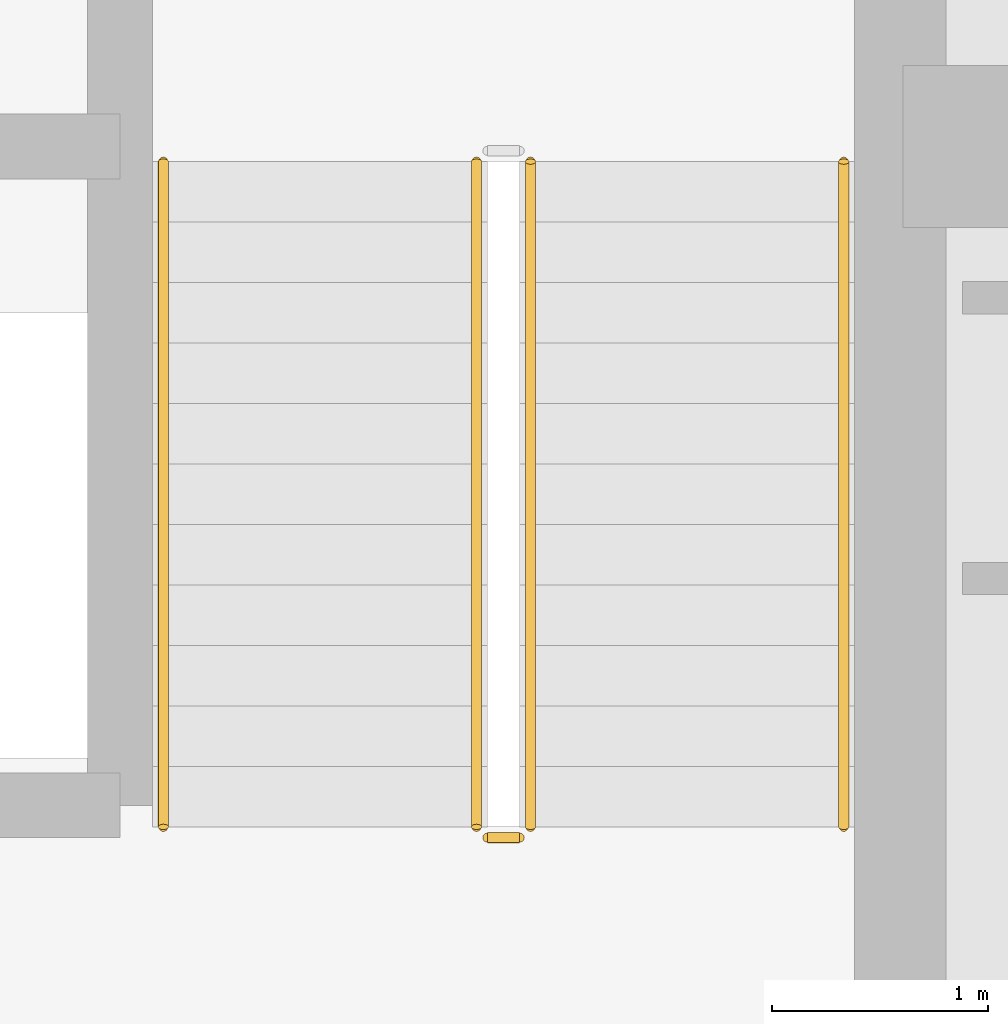
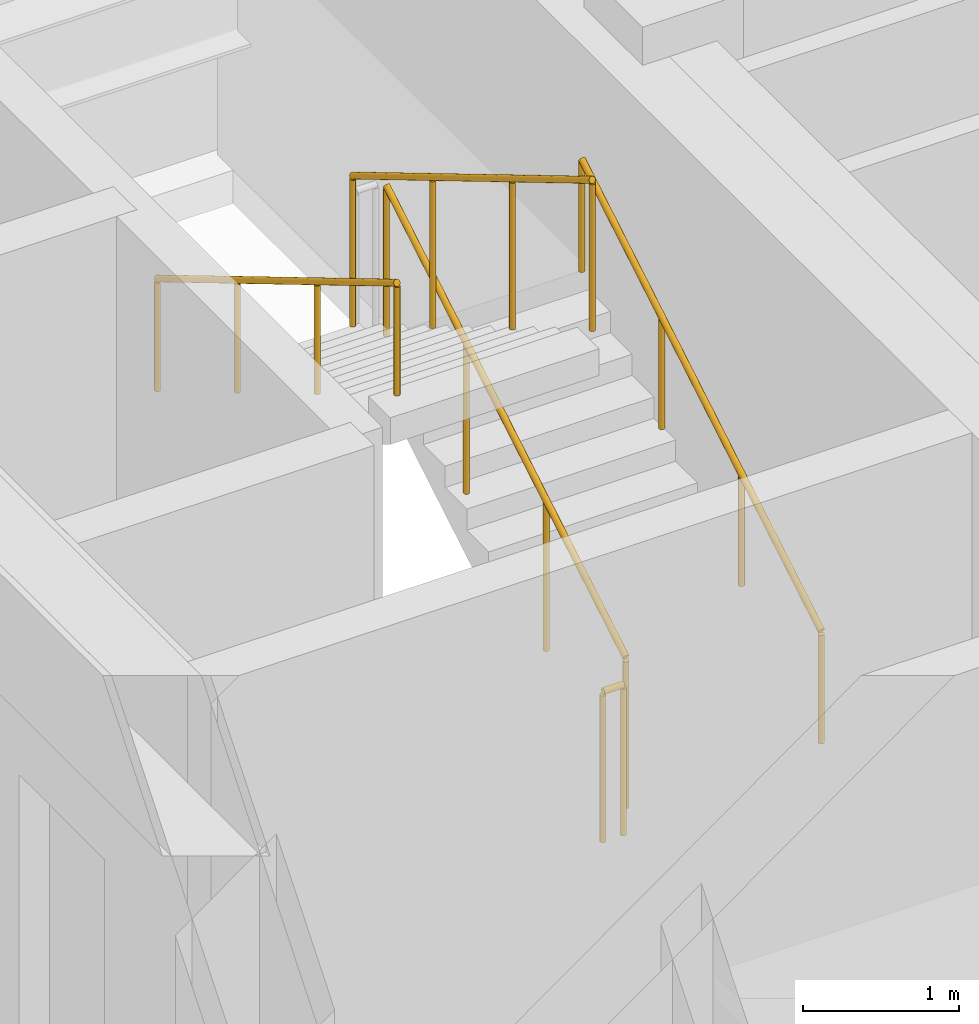
# One storey, part 29 of 32: 5 railings.
"""IFC4 building model written with IfcOpenShell, lengths in metres."""

from ifc_helpers import new_model, si_unit, direction, frame, origin, origin_2d, place, context, subcontext, project, spatial, circle, extrude, source, transform, mapped, material, type_object, element, save


model = new_model("IFC4")

# Units and contexts
model_context = context("Model", 3, precision=1e-05, world=origin(), true_north=direction((0.0, 1.0)))
body_context = subcontext(model_context, "Body", "Model", "MODEL_VIEW")
ifc_project = project(units=[si_unit("LENGTHUNIT", "METRE"), si_unit("AREAUNIT", "SQUARE_METRE"), si_unit("VOLUMEUNIT", "CUBIC_METRE"), si_unit("PLANEANGLEUNIT", "RADIAN"), si_unit("MASSUNIT", "GRAM", prefix="KILO")], contexts=[model_context])

# Site, building, storey
site_placement = place(None, origin())
site = spatial("IfcSite", under=ifc_project, at=site_placement, CompositionType="ELEMENT")
building_placement = place(site_placement, origin())
building = spatial("IfcBuilding", under=site, at=building_placement, Name="Khorayat Bourse Tower", CompositionType="ELEMENT")
storey_placement = place(building_placement, frame((0.0, 0.0, 342.300048828125)))
storey = spatial("IfcBuildingStorey", under=building, at=storey_placement, Name="L81", CompositionType="ELEMENT", Elevation=342.300048828125)

# Railings
ifc_material_1 = material(Name="Powder-coated steel balustrade", Category="steel")
railing_type_1 = type_object("IfcRailingType", Name="RLG-GUARD-1200", PredefinedType="GUARDRAIL", material=ifc_material_1)
shared_shape_1 = source(origin(), body_context, "Body", "SweptSolid", [
    extrude(circle(Radius=0.02392578125, at=origin_2d()), frame((0.0, 0.0, 1.17578125), z_axis=(-1.0, 0.0, 0.0), x_axis=(0.0, -1.0, 0.0)), (0.0, 0.0, 1.0), 0.150146484375),
    extrude(circle(Radius=0.02099609375, at=origin_2d()), origin(), (0.0, 0.0, 1.0), 1.15185546875),
    extrude(circle(Radius=0.02099609375, at=origin_2d()), frame((-0.150146484375, 0.0, 0.0)), (0.0, 0.0, 1.0), 1.15185546875),
])
railing_1_placement = place(storey_placement, frame((-6.64990234375, 2.800048828125, 0.0)))
element("IfcRailing", 1, at=railing_1_placement, inside=storey, type_object=railing_type_1, Name="L81 ST-2 stair guard 4", PredefinedType="GUARDRAIL", context=body_context, shape_type="MappedRepresentation", body=[
    mapped(shared_shape_1, transform((0.0, 0.0, 0.0), scale=1.0)),
])
shared_shape_2 = source(origin(), body_context, "Body", "SweptSolid", [
    extrude(circle(Radius=0.02392578125, at=origin_2d()), frame((0.0, 0.0, 1.17578125), z_axis=(0.0, 0.859260807169, 0.511537745687), x_axis=(-1.0, 0.0, 0.0)), (0.0, 0.0, 1.0), 3.584228515625),
    extrude(circle(Radius=0.02099609375, at=origin_2d()), origin(), (0.0, 0.0, 1.0), 1.15185546875),
    extrude(circle(Radius=0.02099609375, at=origin_2d()), frame((0.0, 1.026611328125, 0.611083984375)), (0.0, 0.0, 1.0), 1.15185546875),
    extrude(circle(Radius=0.02099609375, at=origin_2d()), frame((0.0, 2.05322265625, 1.222412109375)), (0.0, 0.0, 1.0), 1.15185546875),
    extrude(circle(Radius=0.02099609375, at=origin_2d()), frame((0.0, 3.079833984375, 1.83349609375)), (0.0, 0.0, 1.0), 1.15185546875),
])
railing_2_placement = place(storey_placement, frame((-6.60009765625, 2.85009765625, 0.16650390625)))
element("IfcRailing", 2, at=railing_2_placement, inside=storey, type_object=railing_type_1, Name="L81 ST-2 stair guard 1", PredefinedType="GUARDRAIL", context=body_context, shape_type="MappedRepresentation", body=[
    mapped(shared_shape_2, transform((0.0, 0.0, 0.0), scale=1.0)),
])
shared_shape_3 = source(origin(), body_context, "Body", "SweptSolid", [
    extrude(circle(Radius=0.02392578125, at=origin_2d()), frame((0.0, 0.0, 1.17578125), z_axis=(0.0, -0.859260807169, 0.511537745687), x_axis=(1.0, 0.0, 0.0)), (0.0, 0.0, 1.0), 3.584228515625),
    extrude(circle(Radius=0.02099609375, at=origin_2d()), origin(), (0.0, 0.0, 1.0), 1.15185546875),
    extrude(circle(Radius=0.02099609375, at=origin_2d()), frame((0.0, -1.026611328125, 0.611083984375)), (0.0, 0.0, 1.0), 1.15185546875),
    extrude(circle(Radius=0.02099609375, at=origin_2d()), frame((0.0, -2.05322265625, 1.222412109375)), (0.0, 0.0, 1.0), 1.15185546875),
    extrude(circle(Radius=0.02099609375, at=origin_2d()), frame((0.0, -3.079833984375, 1.83349609375)), (0.0, 0.0, 1.0), 1.15185546875),
])
railing_3_placement = place(storey_placement, frame((-6.85009765625, 5.929931640625, 2.16650390625)))
element("IfcRailing", 3, at=railing_3_placement, inside=storey, type_object=railing_type_1, Name="L81 ST-2 stair guard 3", PredefinedType="GUARDRAIL", context=body_context, shape_type="MappedRepresentation", body=[
    mapped(shared_shape_3, transform((0.0, 0.0, 0.0), scale=1.0)),
])
ifc_material_2 = material(Name="Brushed bronze stainless-steel handrail", Category="steel")
railing_type_2 = type_object("IfcRailingType", Name="RLG-HAND-900", PredefinedType="HANDRAIL", material=ifc_material_2)
shared_shape_4 = source(origin(), body_context, "Body", "SweptSolid", [
    extrude(circle(Radius=0.02392578125, at=origin_2d()), frame((0.0, 0.0, 0.8759765625), z_axis=(0.0, 0.859260807169, 0.511537745687), x_axis=(-1.0, 0.0, 0.0)), (0.0, 0.0, 1.0), 3.584228515625),
    extrude(circle(Radius=0.02099609375, at=origin_2d()), origin(), (0.0, 0.0, 1.0), 0.851806640625),
    extrude(circle(Radius=0.02099609375, at=origin_2d()), frame((0.0, 1.026611328125, 0.611083984375)), (0.0, 0.0, 1.0), 0.851806640625),
    extrude(circle(Radius=0.02099609375, at=origin_2d()), frame((0.0, 2.05322265625, 1.222412109375)), (0.0, 0.0, 1.0), 0.851806640625),
    extrude(circle(Radius=0.02099609375, at=origin_2d()), frame((0.0, 3.079833984375, 1.83349609375)), (0.0, 0.0, 1.0), 0.851806640625),
])
railing_4_placement = place(storey_placement, frame((-5.14990234375, 2.85009765625, 0.16650390625)))
element("IfcRailing", 4, at=railing_4_placement, inside=storey, type_object=railing_type_2, Name="L81 ST-2 stair handrail 1", PredefinedType="HANDRAIL", context=body_context, shape_type="MappedRepresentation", body=[
    mapped(shared_shape_4, transform((0.0, 0.0, 0.0), scale=1.0)),
])
shared_shape_5 = source(origin(), body_context, "Body", "SweptSolid", [
    extrude(circle(Radius=0.02392578125, at=origin_2d()), frame((0.0, 0.0, 0.8759765625), z_axis=(0.0, -0.859260807169, 0.511537745687), x_axis=(1.0, 0.0, 0.0)), (0.0, 0.0, 1.0), 3.584228515625),
    extrude(circle(Radius=0.02099609375, at=origin_2d()), origin(), (0.0, 0.0, 1.0), 0.851806640625),
    extrude(circle(Radius=0.02099609375, at=origin_2d()), frame((0.0, -1.026611328125, 0.611083984375)), (0.0, 0.0, 1.0), 0.851806640625),
    extrude(circle(Radius=0.02099609375, at=origin_2d()), frame((0.0, -2.05322265625, 1.222412109375)), (0.0, 0.0, 1.0), 0.851806640625),
    extrude(circle(Radius=0.02099609375, at=origin_2d()), frame((0.0, -3.079833984375, 1.83349609375)), (0.0, 0.0, 1.0), 0.851806640625),
])
railing_5_placement = place(storey_placement, frame((-8.300048828125, 5.929931640625, 2.16650390625)))
element("IfcRailing", 5, at=railing_5_placement, inside=storey, type_object=railing_type_2, Name="L81 ST-2 stair handrail 2", PredefinedType="HANDRAIL", context=body_context, shape_type="MappedRepresentation", body=[
    mapped(shared_shape_5, transform((0.0, 0.0, 0.0), scale=1.0)),
])

save(model, "model.ifc")
